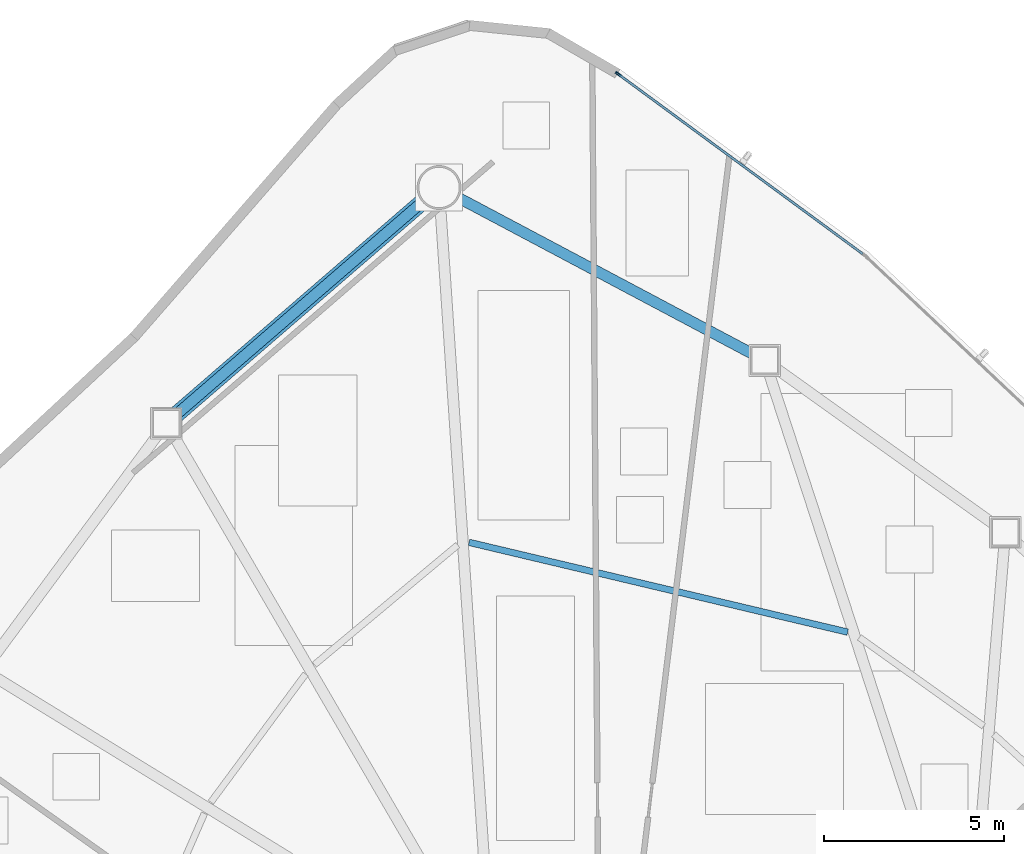
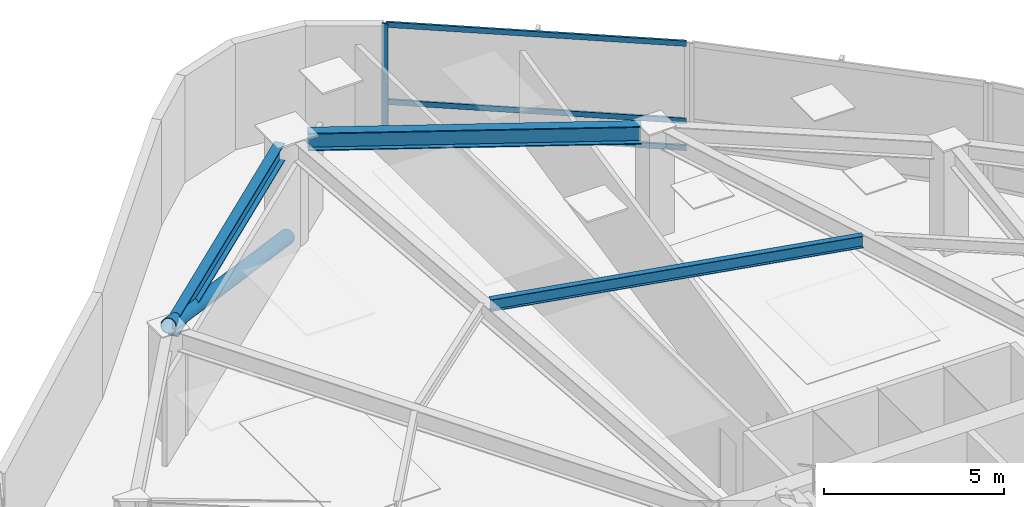
# One storey, part 9 of 18: 5 members, 3 beams, 1 element without a shape of its own.
"""IFC4 building model written with IfcOpenShell, lengths in metres."""

from ifc_helpers import new_model, si_unit, direction, frame, origin, origin_2d, place, context, subcontext, project, spatial, hollow_rectangle, hollow_circle, i_section, extrude, source, transform, mapped, material, layer, layer_set, material_profile, profile_set, type_object, type_shapes, element, aggregate, save


model = new_model("IFC4")

# Units and contexts
model_context = context("Model", 3, precision=1e-05, world=origin(), true_north=direction((0.0, 1.0)))
body_context = subcontext(model_context, "Body", "Model", "MODEL_VIEW")
ifc_project = project(units=[si_unit("LENGTHUNIT", "METRE"), si_unit("AREAUNIT", "SQUARE_METRE"), si_unit("VOLUMEUNIT", "CUBIC_METRE"), si_unit("PLANEANGLEUNIT", "RADIAN"), si_unit("MASSUNIT", "GRAM", prefix="KILO")], contexts=[model_context])

# Site, building, storey
site_placement = place(None, origin())
site = spatial("IfcSite", under=ifc_project, at=site_placement, CompositionType="ELEMENT")
building_placement = place(site_placement, origin())
building = spatial("IfcBuilding", under=site, at=building_placement, Name="Tavelor Broadcast Tower", CompositionType="ELEMENT")
storey_placement = place(building_placement, frame((0.0, 0.0, 51.0)))
storey = spatial("IfcBuildingStorey", under=building, at=storey_placement, Name="L11", CompositionType="ELEMENT", Elevation=51.0)

# Beams
ifc_material_1 = material(Name="Steel S355", Category="steel")
ifc_material_profile_1 = material_profile(ifc_material_1, i_section(OverallWidth=0.179931640625, OverallDepth=0.39990234375, WebThickness=0.008544921875, FlangeThickness=0.013427734375, at=origin_2d()), Name="IPE 400")
ifc_profile_set_1 = profile_set([ifc_material_profile_1], Name="Steel S355")
beam_type_1 = type_object("IfcBeamType", Name="Composite Floor Joist T1 IPE 400", PredefinedType="JOIST", material=ifc_profile_set_1)
beam_1_placement = place(storey_placement, frame((53.260986328125, 60.9287109375, 3.39990234375), z_axis=(-0.973012053378, 0.230754293526, 0.0), x_axis=(-0.230754293526, -0.973012053378, 0.0)))
element("IfcBeam", 1, at=beam_1_placement, inside=storey, type_object=beam_type_1, Name="L11 Secondary Composite Floor Joist 18", PredefinedType="JOIST", context=body_context, shape_type="SweptSolid", body=[
    extrude(i_section(OverallWidth=0.179931640625, OverallDepth=0.39990234375, WebThickness=0.008544921875, FlangeThickness=0.013427734375, at=origin_2d()), origin(), (0.0, 0.0, 1.0), 10.797119140625),
])
ifc_material_profile_2 = material_profile(ifc_material_1, i_section(OverallWidth=0.300048828125, OverallDepth=0.60009765625, WebThickness=0.015380859375, FlangeThickness=0.030029296875, at=origin_2d()), Name="HEB 600")
ifc_profile_set_2 = profile_set([ifc_material_profile_2], Name="Steel S355")
beam_type_2 = type_object("IfcBeamType", Name="Perimeter Spandrel Beam T1 HEB 600", PredefinedType="SPANDREL", material=ifc_profile_set_2)
beam_2_placement = place(storey_placement, frame((41.48046875, 72.8837890625, 3.300048828125), z_axis=(-0.756663126242, -0.653804950566, 0.0), x_axis=(0.653804950566, -0.756663126242, 0.0)))
element("IfcBeam", 2, at=beam_2_placement, inside=storey, type_object=beam_type_2, Name="L11 Framed-Tube Ring Spandrel 01", PredefinedType="SPANDREL", context=body_context, shape_type="SweptSolid", body=[
    extrude(i_section(OverallWidth=0.300048828125, OverallDepth=0.60009765625, WebThickness=0.015380859375, FlangeThickness=0.030029296875, at=origin_2d()), origin(), (0.0, 0.0, 1.0), 9.031494140625),
])
beam_3_placement = place(storey_placement, frame((50.62255859375, 68.648681640625, 3.300048828125), z_axis=(-0.883283542259, 0.468839187755, 0.0), x_axis=(-0.468839187755, -0.883283542259, 0.0)))
element("IfcBeam", 3, at=beam_3_placement, inside=storey, type_object=beam_type_2, Name="L11 Framed-Tube Ring Spandrel 18", PredefinedType="SPANDREL", context=body_context, shape_type="SweptSolid", body=[
    extrude(i_section(OverallWidth=0.300048828125, OverallDepth=0.60009765625, WebThickness=0.015380859375, FlangeThickness=0.030029296875, at=origin_2d()), origin(), (0.0, 0.0, 1.0), 9.263916015625),
])

# Member
ifc_material_profile_3 = material_profile(ifc_material_1, hollow_circle(Radius=0.228515625, WallThickness=0.02001953125, at=origin_2d()), Name="CHS 457x20")
ifc_profile_set_3 = profile_set([ifc_material_profile_3], Name="Steel S355")
member_type_1 = type_object("IfcMemberType", Name="Perimeter Tube Brace T1 CHS 457x20", PredefinedType="BRACE", material=ifc_profile_set_3)
member_1_placement = place(storey_placement, frame((41.923095703125, 73.266357421875, 0.0), z_axis=(-0.711923189295, -0.615174771108, 0.338711342497), x_axis=(0.653821967179, -0.756648422475, 0.0)))
element("IfcMember", 4, at=member_1_placement, inside=storey, type_object=member_type_1, Name="L11 Corner Tube Diagonal Brace 1", PredefinedType="BRACE", context=body_context, shape_type="SweptSolid", body=[
    extrude(hollow_circle(Radius=0.228515625, WallThickness=0.02001953125, at=origin_2d()), origin(), (0.0, 0.0, 1.0), 10.62890625),
])

# Curtain wall, members
ifc_material_2 = material(Name="Architectural Anodized Aluminium", Category="aluminium")
ifc_layer = layer(ifc_material_2, 0.179931640625)
ifc_layer_set = layer_set([ifc_layer], Name="Architectural Anodized Aluminium")
curtain_wall_type = type_object("IfcCurtainWallType", Name="Tower Low-Zone Unitised Curtain Wall CW02", PredefinedType="NOTDEFINED", material=ifc_layer_set)
curtain_wall_placement = place(storey_placement, origin())
curtain_wall = element("IfcCurtainWall", 5, at=curtain_wall_placement, inside=storey, type_object=curtain_wall_type, Name="L11 Curtain Wall CW02 Run 96", PredefinedType="NOTDEFINED")
ifc_material_profile_4 = material_profile(ifc_material_2, hollow_rectangle(XDim=0.06494140625, YDim=0.179931640625, WallThickness=0.02197265625, at=origin_2d()), Name="RHS 65x180x22")
ifc_profile_set_4 = profile_set([ifc_material_profile_4], Name="Architectural Anodized Aluminium")
member_type_2 = type_object("IfcMemberType", Name="CW02 Extruded Aluminium Mullion 65x180", PredefinedType="MULLION", material=ifc_profile_set_4)
shared_shape_1 = source(origin(), body_context, "Body", "SweptSolid", [
    extrude(hollow_rectangle(XDim=0.06494140625, YDim=0.179931640625, WallThickness=0.02197265625, at=origin_2d()), origin(), (0.0, 0.0, 1.0), 3.60009765625),
])
type_shapes(member_type_2, [shared_shape_1])
member_2_placement = place(storey_placement, frame((46.8935546875, 76.41259765625, 0.0), z_axis=(0.0, 0.0, 1.0), x_axis=(-0.592345857072, -0.805683800017, 0.0)))
member_2 = element("IfcMember", 6, at=member_2_placement, type_object=member_type_2, Name="CW02 mullion 2", PredefinedType="MULLION", context=body_context, shape_type="MappedRepresentation", body=[
    mapped(shared_shape_1, transform((0.0, 0.0, 0.0), scale=1.0)),
])
ifc_material_profile_5 = material_profile(ifc_material_2, hollow_rectangle(XDim=0.06494140625, YDim=0.179931640625, WallThickness=0.02197265625, at=origin_2d()), Name="RHS 65x180x22")
ifc_profile_set_5 = profile_set([ifc_material_profile_5], Name="Architectural Anodized Aluminium")
member_type_3 = type_object("IfcMemberType", Name="CW02 Extruded Aluminium Transom 65x180", PredefinedType="USERDEFINED", material=ifc_profile_set_5)
shared_shape_2 = source(origin(), body_context, "Body", "SweptSolid", [
    extrude(hollow_rectangle(XDim=0.06494140625, YDim=0.179931640625, WallThickness=0.02197265625, at=origin_2d()), origin(), (0.0, 0.0, 1.0), 8.389404296875),
])
type_shapes(member_type_3, [shared_shape_2])
member_3_placement = place(storey_placement, frame((53.678955078125, 71.423828125, 0.032470703125), z_axis=(-0.80568369055, 0.592346005965, 0.0), x_axis=(-0.592346005965, -0.80568369055, 0.0)))
member_3 = element("IfcMember", 7, at=member_3_placement, type_object=member_type_3, Name="CW02 transom 1.1", ObjectType="TRANSOM", PredefinedType="USERDEFINED", context=body_context, shape_type="MappedRepresentation", body=[
    mapped(shared_shape_2, transform((0.0, 0.0, 0.0), scale=1.0)),
])
member_4_placement = place(storey_placement, frame((53.678955078125, 71.423828125, 0.949951171875), z_axis=(-0.80568369055, 0.592346005965, 0.0), x_axis=(-0.592346005965, -0.80568369055, 0.0)))
member_4 = element("IfcMember", 8, at=member_4_placement, type_object=member_type_3, Name="CW02 transom 1.2", ObjectType="TRANSOM", PredefinedType="USERDEFINED", context=body_context, shape_type="MappedRepresentation", body=[
    mapped(shared_shape_2, transform((0.0, 0.0, 0.0), scale=1.0)),
])
member_5_placement = place(storey_placement, frame((53.678955078125, 71.423828125, 3.5673828125), z_axis=(-0.80568369055, 0.592346005965, 0.0), x_axis=(-0.592346005965, -0.80568369055, 0.0)))
member_5 = element("IfcMember", 9, at=member_5_placement, type_object=member_type_3, Name="CW02 transom 1.3", ObjectType="TRANSOM", PredefinedType="USERDEFINED", context=body_context, shape_type="MappedRepresentation", body=[
    mapped(shared_shape_2, transform((0.0, 0.0, 0.0), scale=1.0)),
])
aggregate(curtain_wall, [member_2, member_3, member_4, member_5])

save(model, "model.ifc")
